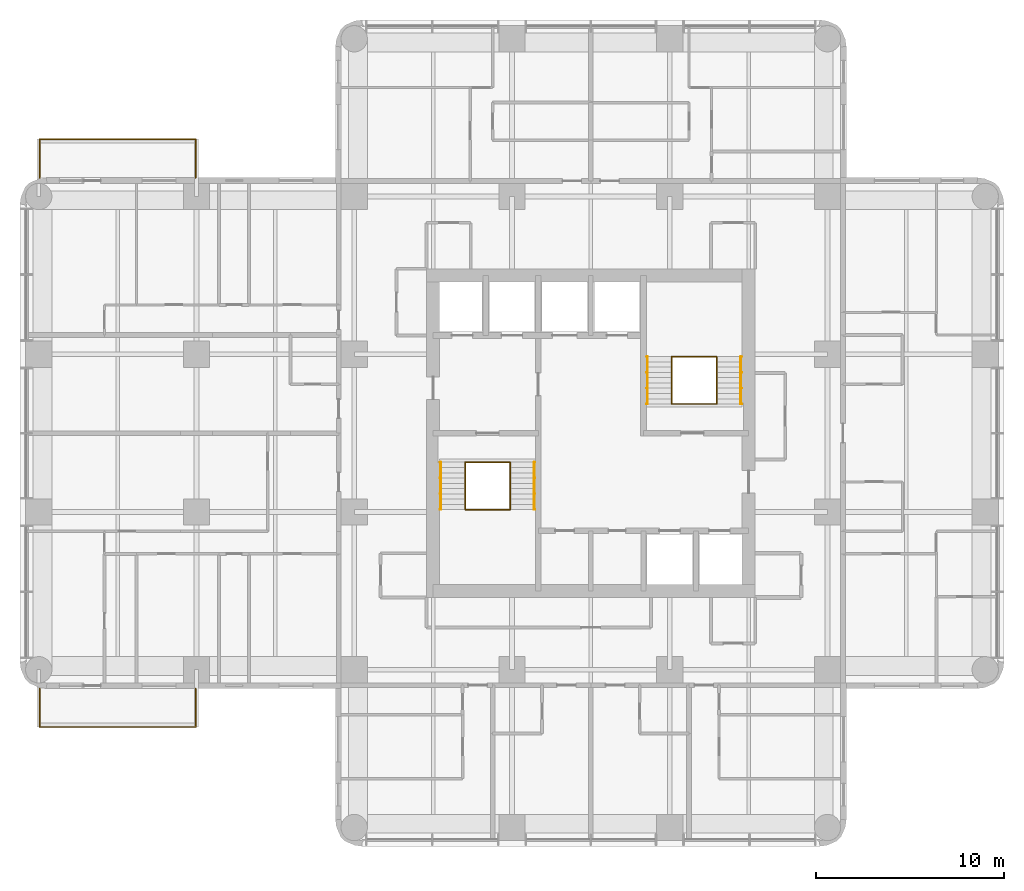
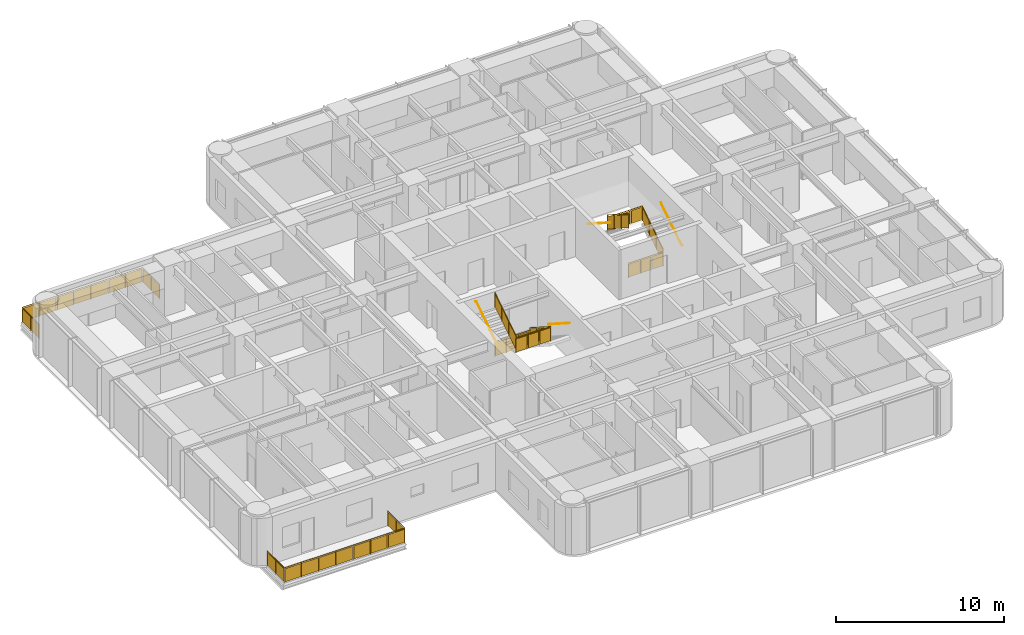
# One storey, part 11 of 11: 14 railings.
"""IFC4 building model written with IfcOpenShell, lengths in metres."""

from ifc_helpers import new_model, si_unit, direction, frame, origin, origin_2d, place, context, subcontext, project, spatial, polyline, circle, outline, extrude, material, constituent, constituent_set, type_object, element, save


model = new_model("IFC4")

# Units and contexts
model_context = context("Model", 3, precision=1e-05, world=origin(), true_north=direction((0.0, 1.0)))
body_context = subcontext(model_context, "Body", "Model", "MODEL_VIEW")
ifc_project = project(units=[si_unit("LENGTHUNIT", "METRE"), si_unit("AREAUNIT", "SQUARE_METRE"), si_unit("VOLUMEUNIT", "CUBIC_METRE"), si_unit("PLANEANGLEUNIT", "RADIAN"), si_unit("MASSUNIT", "GRAM", prefix="KILO")], contexts=[model_context])

# Site, building, storey
site_placement = place(None, origin())
site = spatial("IfcSite", under=ifc_project, at=site_placement, CompositionType="ELEMENT")
building_placement = place(site_placement, origin())
building = spatial("IfcBuilding", under=site, at=building_placement, Name="Torre Alcanfor", CompositionType="ELEMENT")
storey_placement = place(building_placement, frame((0.0, 0.0, 237.300048828125)))
storey = spatial("IfcBuildingStorey", under=building, at=storey_placement, Name="L62", CompositionType="ELEMENT", Elevation=237.300048828125)

# Railings
ifc_material_1 = material(Name="Laminated safety glass", Category="glass")
ifc_constituent_1 = constituent(ifc_material_1, Name="Infill")
ifc_material_2 = material(Name="Stainless steel ASTM A554 Grade MT 316L tube", Category="steel")
ifc_constituent_2 = constituent(ifc_material_2, Name="Posts and rail")
ifc_constituent_set = constituent_set(constituents=[ifc_constituent_1, ifc_constituent_2], Name="Balcony guard glass 1100")
railing_type_1 = type_object("IfcRailingType", Name="Balcony guard glass 1100", PredefinedType="BALUSTRADE", material=ifc_constituent_set)
railing_1_placement = place(storey_placement, frame((8.35009765625, 15.800048828125, 0.0)))
element("IfcRailing", 1, at=railing_1_placement, inside=storey, type_object=railing_type_1, Name="Balcony guard L62-W1", PredefinedType="BALUSTRADE", context=body_context, shape_type="SweptSolid", body=[
    extrude(circle(Radius=0.02392578125, at=origin_2d()), frame((0.0, 0.0, 1.076171875), z_axis=(0.0, -1.0, 0.0), x_axis=(1.0, 0.0, 0.0)), (0.0, 0.0, 1.0), 2.050048828125),
    extrude(circle(Radius=0.02392578125, at=origin_2d()), frame((0.0, -2.050048828125, 1.076171875), z_axis=(-1.0, 0.0, 0.0), x_axis=(0.0, -1.0, 0.0)), (0.0, 0.0, 1.0), 8.300048828125),
    extrude(circle(Radius=0.02392578125, at=origin_2d()), frame((-8.300048828125, -2.050048828125, 1.076171875), z_axis=(0.0, 1.0, 0.0), x_axis=(-1.0, 0.0, 0.0)), (0.0, 0.0, 1.0), 2.050048828125),
    extrude(circle(Radius=0.02099609375, at=origin_2d()), origin(), (0.0, 0.0, 1.0), 1.052001953125),
    extrude(circle(Radius=0.02099609375, at=origin_2d()), frame((0.0, -1.02490234375, 0.0)), (0.0, 0.0, 1.0), 1.052001953125),
    extrude(circle(Radius=0.02099609375, at=origin_2d()), frame((0.0, -2.050048828125, 0.0)), (0.0, 0.0, 1.0), 1.052001953125),
    extrude(circle(Radius=0.02099609375, at=origin_2d()), frame((-1.185791015625, -2.050048828125, 0.0)), (0.0, 0.0, 1.0), 1.052001953125),
    extrude(circle(Radius=0.02099609375, at=origin_2d()), frame((-2.371337890625, -2.050048828125, 0.0)), (0.0, 0.0, 1.0), 1.052001953125),
    extrude(circle(Radius=0.02099609375, at=origin_2d()), frame((-3.55712890625, -2.050048828125, 0.0)), (0.0, 0.0, 1.0), 1.052001953125),
    extrude(circle(Radius=0.02099609375, at=origin_2d()), frame((-4.742919921875, -2.050048828125, 0.0)), (0.0, 0.0, 1.0), 1.052001953125),
    extrude(circle(Radius=0.02099609375, at=origin_2d()), frame((-5.9287109375, -2.050048828125, 0.0)), (0.0, 0.0, 1.0), 1.052001953125),
    extrude(circle(Radius=0.02099609375, at=origin_2d()), frame((-7.1142578125, -2.050048828125, 0.0)), (0.0, 0.0, 1.0), 1.052001953125),
    extrude(circle(Radius=0.02099609375, at=origin_2d()), frame((-8.300048828125, -2.050048828125, 0.0)), (0.0, 0.0, 1.0), 1.052001953125),
    extrude(circle(Radius=0.02099609375, at=origin_2d()), frame((-8.300048828125, -1.02490234375, 0.0)), (0.0, 0.0, 1.0), 1.052001953125),
    extrude(circle(Radius=0.02099609375, at=origin_2d()), frame((-8.300048828125, 0.0, 0.0)), (0.0, 0.0, 1.0), 1.052001953125),
    extrude(outline(polyline([(0.041015625, 0.050048828125), (0.984130859375, 0.050048828125), (0.984130859375, 1.001953125), (0.041015625, 1.001953125), (0.041015625, 0.050048828125)])), frame((0.005859375, 0.0, 0.0), z_axis=(-1.0, 0.0, 0.0), x_axis=(0.0, -1.0, 0.0)), (0.0, 0.0, 1.0), 0.011962890625),
    extrude(outline(polyline([(1.06591796875, 0.050048828125), (2.009033203125, 0.050048828125), (2.009033203125, 1.001953125), (1.06591796875, 1.001953125), (1.06591796875, 0.050048828125)])), frame((0.005859375, 0.0, 0.0), z_axis=(-1.0, 0.0, 0.0), x_axis=(0.0, -1.0, 0.0)), (0.0, 0.0, 1.0), 0.011962890625),
    extrude(outline(polyline([(0.041015625, 0.050048828125), (1.144775390625, 0.050048828125), (1.144775390625, 1.001953125), (0.041015625, 1.001953125), (0.041015625, 0.050048828125)])), frame((0.0, -2.05615234375, 0.0), z_axis=(0.0, 1.0, 0.0), x_axis=(-1.0, 0.0, 0.0)), (0.0, 0.0, 1.0), 0.011962890625),
    extrude(outline(polyline([(1.226806640625, 0.050048828125), (2.330322265625, 0.050048828125), (2.330322265625, 1.001953125), (1.226806640625, 1.001953125), (1.226806640625, 0.050048828125)])), frame((0.0, -2.05615234375, 0.0), z_axis=(0.0, 1.0, 0.0), x_axis=(-1.0, 0.0, 0.0)), (0.0, 0.0, 1.0), 0.011962890625),
    extrude(outline(polyline([(2.412353515625, 0.050048828125), (3.51611328125, 0.050048828125), (3.51611328125, 1.001953125), (2.412353515625, 1.001953125), (2.412353515625, 0.050048828125)])), frame((0.0, -2.05615234375, 0.0), z_axis=(0.0, 1.0, 0.0), x_axis=(-1.0, 0.0, 0.0)), (0.0, 0.0, 1.0), 0.011962890625),
    extrude(outline(polyline([(3.59814453125, 0.050048828125), (4.701904296875, 0.050048828125), (4.701904296875, 1.001953125), (3.59814453125, 1.001953125), (3.59814453125, 0.050048828125)])), frame((0.0, -2.05615234375, 0.0), z_axis=(0.0, 1.0, 0.0), x_axis=(-1.0, 0.0, 0.0)), (0.0, 0.0, 1.0), 0.011962890625),
    extrude(outline(polyline([(4.783935546875, 0.050048828125), (5.8876953125, 0.050048828125), (5.8876953125, 1.001953125), (4.783935546875, 1.001953125), (4.783935546875, 0.050048828125)])), frame((0.0, -2.05615234375, 0.0), z_axis=(0.0, 1.0, 0.0), x_axis=(-1.0, 0.0, 0.0)), (0.0, 0.0, 1.0), 0.011962890625),
    extrude(outline(polyline([(5.9697265625, 0.050048828125), (7.0732421875, 0.050048828125), (7.0732421875, 1.001953125), (5.9697265625, 1.001953125), (5.9697265625, 0.050048828125)])), frame((0.0, -2.05615234375, 0.0), z_axis=(0.0, 1.0, 0.0), x_axis=(-1.0, 0.0, 0.0)), (0.0, 0.0, 1.0), 0.011962890625),
    extrude(outline(polyline([(7.1552734375, 0.050048828125), (8.259033203125, 0.050048828125), (8.259033203125, 1.001953125), (7.1552734375, 1.001953125), (7.1552734375, 0.050048828125)])), frame((0.0, -2.05615234375, 0.0), z_axis=(0.0, 1.0, 0.0), x_axis=(-1.0, 0.0, 0.0)), (0.0, 0.0, 1.0), 0.011962890625),
    extrude(outline(polyline([(0.041015625, 0.050048828125), (0.984130859375, 0.050048828125), (0.984130859375, 1.001953125), (0.041015625, 1.001953125), (0.041015625, 0.050048828125)])), frame((-8.30615234375, -2.050048828125, 0.0), z_axis=(1.0, 0.0, 0.0), x_axis=(0.0, 1.0, 0.0)), (0.0, 0.0, 1.0), 0.011962890625),
    extrude(outline(polyline([(1.06591796875, 0.050048828125), (2.009033203125, 0.050048828125), (2.009033203125, 1.001953125), (1.06591796875, 1.001953125), (1.06591796875, 0.050048828125)])), frame((-8.30615234375, -2.050048828125, 0.0), z_axis=(1.0, 0.0, 0.0), x_axis=(0.0, 1.0, 0.0)), (0.0, 0.0, 1.0), 0.011962890625),
])
railing_2_placement = place(storey_placement, frame((8.35009765625, 43.0, 0.0)))
element("IfcRailing", 2, at=railing_2_placement, inside=storey, type_object=railing_type_1, Name="Balcony guard L62-W2", PredefinedType="BALUSTRADE", context=body_context, shape_type="SweptSolid", body=[
    extrude(circle(Radius=0.02392578125, at=origin_2d()), frame((0.0, 0.0, 1.076171875), z_axis=(0.0, 1.0, 0.0), x_axis=(-1.0, 0.0, 0.0)), (0.0, 0.0, 1.0), 2.050048828125),
    extrude(circle(Radius=0.02392578125, at=origin_2d()), frame((0.0, 2.050048828125, 1.076171875), z_axis=(-1.0, 0.0, 0.0), x_axis=(0.0, -1.0, 0.0)), (0.0, 0.0, 1.0), 8.300048828125),
    extrude(circle(Radius=0.02392578125, at=origin_2d()), frame((-8.300048828125, 2.050048828125, 1.076171875), z_axis=(0.0, -1.0, 0.0), x_axis=(1.0, 0.0, 0.0)), (0.0, 0.0, 1.0), 2.050048828125),
    extrude(circle(Radius=0.02099609375, at=origin_2d()), origin(), (0.0, 0.0, 1.0), 1.052001953125),
    extrude(circle(Radius=0.02099609375, at=origin_2d()), frame((0.0, 1.02490234375, 0.0)), (0.0, 0.0, 1.0), 1.052001953125),
    extrude(circle(Radius=0.02099609375, at=origin_2d()), frame((0.0, 2.050048828125, 0.0)), (0.0, 0.0, 1.0), 1.052001953125),
    extrude(circle(Radius=0.02099609375, at=origin_2d()), frame((-1.185791015625, 2.050048828125, 0.0)), (0.0, 0.0, 1.0), 1.052001953125),
    extrude(circle(Radius=0.02099609375, at=origin_2d()), frame((-2.371337890625, 2.050048828125, 0.0)), (0.0, 0.0, 1.0), 1.052001953125),
    extrude(circle(Radius=0.02099609375, at=origin_2d()), frame((-3.55712890625, 2.050048828125, 0.0)), (0.0, 0.0, 1.0), 1.052001953125),
    extrude(circle(Radius=0.02099609375, at=origin_2d()), frame((-4.742919921875, 2.050048828125, 0.0)), (0.0, 0.0, 1.0), 1.052001953125),
    extrude(circle(Radius=0.02099609375, at=origin_2d()), frame((-5.9287109375, 2.050048828125, 0.0)), (0.0, 0.0, 1.0), 1.052001953125),
    extrude(circle(Radius=0.02099609375, at=origin_2d()), frame((-7.1142578125, 2.050048828125, 0.0)), (0.0, 0.0, 1.0), 1.052001953125),
    extrude(circle(Radius=0.02099609375, at=origin_2d()), frame((-8.300048828125, 2.050048828125, 0.0)), (0.0, 0.0, 1.0), 1.052001953125),
    extrude(circle(Radius=0.02099609375, at=origin_2d()), frame((-8.300048828125, 1.02490234375, 0.0)), (0.0, 0.0, 1.0), 1.052001953125),
    extrude(circle(Radius=0.02099609375, at=origin_2d()), frame((-8.300048828125, 0.0, 0.0)), (0.0, 0.0, 1.0), 1.052001953125),
    extrude(outline(polyline([(0.041015625, 0.050048828125), (0.984130859375, 0.050048828125), (0.984130859375, 1.001953125), (0.041015625, 1.001953125), (0.041015625, 0.050048828125)])), frame((-0.005859375, 0.0, 0.0), z_axis=(1.0, 0.0, 0.0), x_axis=(0.0, 1.0, 0.0)), (0.0, 0.0, 1.0), 0.011962890625),
    extrude(outline(polyline([(1.06591796875, 0.050048828125), (2.009033203125, 0.050048828125), (2.009033203125, 1.001953125), (1.06591796875, 1.001953125), (1.06591796875, 0.050048828125)])), frame((-0.005859375, 0.0, 0.0), z_axis=(1.0, 0.0, 0.0), x_axis=(0.0, 1.0, 0.0)), (0.0, 0.0, 1.0), 0.011962890625),
    extrude(outline(polyline([(0.041015625, 0.050048828125), (1.144775390625, 0.050048828125), (1.144775390625, 1.001953125), (0.041015625, 1.001953125), (0.041015625, 0.050048828125)])), frame((0.0, 2.0439453125, 0.0), z_axis=(0.0, 1.0, 0.0), x_axis=(-1.0, 0.0, 0.0)), (0.0, 0.0, 1.0), 0.011962890625),
    extrude(outline(polyline([(1.226806640625, 0.050048828125), (2.330322265625, 0.050048828125), (2.330322265625, 1.001953125), (1.226806640625, 1.001953125), (1.226806640625, 0.050048828125)])), frame((0.0, 2.0439453125, 0.0), z_axis=(0.0, 1.0, 0.0), x_axis=(-1.0, 0.0, 0.0)), (0.0, 0.0, 1.0), 0.011962890625),
    extrude(outline(polyline([(2.412353515625, 0.050048828125), (3.51611328125, 0.050048828125), (3.51611328125, 1.001953125), (2.412353515625, 1.001953125), (2.412353515625, 0.050048828125)])), frame((0.0, 2.0439453125, 0.0), z_axis=(0.0, 1.0, 0.0), x_axis=(-1.0, 0.0, 0.0)), (0.0, 0.0, 1.0), 0.011962890625),
    extrude(outline(polyline([(3.59814453125, 0.050048828125), (4.701904296875, 0.050048828125), (4.701904296875, 1.001953125), (3.59814453125, 1.001953125), (3.59814453125, 0.050048828125)])), frame((0.0, 2.0439453125, 0.0), z_axis=(0.0, 1.0, 0.0), x_axis=(-1.0, 0.0, 0.0)), (0.0, 0.0, 1.0), 0.011962890625),
    extrude(outline(polyline([(4.783935546875, 0.050048828125), (5.8876953125, 0.050048828125), (5.8876953125, 1.001953125), (4.783935546875, 1.001953125), (4.783935546875, 0.050048828125)])), frame((0.0, 2.0439453125, 0.0), z_axis=(0.0, 1.0, 0.0), x_axis=(-1.0, 0.0, 0.0)), (0.0, 0.0, 1.0), 0.011962890625),
    extrude(outline(polyline([(5.9697265625, 0.050048828125), (7.0732421875, 0.050048828125), (7.0732421875, 1.001953125), (5.9697265625, 1.001953125), (5.9697265625, 0.050048828125)])), frame((0.0, 2.0439453125, 0.0), z_axis=(0.0, 1.0, 0.0), x_axis=(-1.0, 0.0, 0.0)), (0.0, 0.0, 1.0), 0.011962890625),
    extrude(outline(polyline([(7.1552734375, 0.050048828125), (8.259033203125, 0.050048828125), (8.259033203125, 1.001953125), (7.1552734375, 1.001953125), (7.1552734375, 0.050048828125)])), frame((0.0, 2.0439453125, 0.0), z_axis=(0.0, 1.0, 0.0), x_axis=(-1.0, 0.0, 0.0)), (0.0, 0.0, 1.0), 0.011962890625),
    extrude(outline(polyline([(0.041015625, 0.050048828125), (0.984130859375, 0.050048828125), (0.984130859375, 1.001953125), (0.041015625, 1.001953125), (0.041015625, 0.050048828125)])), frame((-8.2939453125, 2.050048828125, 0.0), z_axis=(-1.0, 0.0, 0.0), x_axis=(0.0, -1.0, 0.0)), (0.0, 0.0, 1.0), 0.011962890625),
    extrude(outline(polyline([(1.06591796875, 0.050048828125), (2.009033203125, 0.050048828125), (2.009033203125, 1.001953125), (1.06591796875, 1.001953125), (1.06591796875, 0.050048828125)])), frame((-8.2939453125, 2.050048828125, 0.0), z_axis=(-1.0, 0.0, 0.0), x_axis=(0.0, -1.0, 0.0)), (0.0, 0.0, 1.0), 0.011962890625),
])
ifc_material_3 = material(Name="Steel ASTM A500 Grade C hollow sections", Category="steel")
railing_type_2 = type_object("IfcRailingType", Name="Stair guard and handrail 1100", PredefinedType="GUARDRAIL", material=ifc_material_3)
railing_3_placement = place(storey_placement, frame((25.10009765625, 27.85009765625, 0.179931640625)))
element("IfcRailing", 3, at=railing_3_placement, inside=storey, type_object=railing_type_2, Name="Stair guard S1 L62 flight 1", PredefinedType="GUARDRAIL", context=body_context, shape_type="SweptSolid", body=[
    extrude(circle(Radius=0.02392578125, at=origin_2d()), frame((0.0, 0.0, 1.076171875), z_axis=(0.0, -0.841162588446, 0.540782303519), x_axis=(1.0, 0.0, 0.0)), (0.0, 0.0, 1.0), 2.995849609375),
    extrude(circle(Radius=0.02099609375, at=origin_2d()), origin(), (0.0, 0.0, 1.0), 1.052001953125),
    extrude(circle(Radius=0.02099609375, at=origin_2d()), frame((0.0, -0.840087890625, 0.5400390625)), (0.0, 0.0, 1.0), 1.052001953125),
    extrude(circle(Radius=0.02099609375, at=origin_2d()), frame((0.0, -1.679931640625, 1.080078125)), (0.0, 0.0, 1.0), 1.052001953125),
    extrude(circle(Radius=0.02099609375, at=origin_2d()), frame((0.0, -2.52001953125, 1.6201171875)), (0.0, 0.0, 1.0), 1.052001953125),
    extrude(outline(polyline([(0.041015625, 0.076416015625), (0.799072265625, 0.563720703125), (0.799072265625, 1.515625), (0.041015625, 1.0283203125), (0.041015625, 0.076416015625)])), frame((0.005859375, 0.0, 0.0), z_axis=(-1.0, 0.0, 0.0), x_axis=(0.0, -1.0, 0.0)), (0.0, 0.0, 1.0), 0.011962890625),
    extrude(outline(polyline([(0.881103515625, 0.616455078125), (1.638916015625, 1.103759765625), (1.638916015625, 2.0556640625), (0.881103515625, 1.568359375), (0.881103515625, 0.616455078125)])), frame((0.005859375, 0.0, 0.0), z_axis=(-1.0, 0.0, 0.0), x_axis=(0.0, -1.0, 0.0)), (0.0, 0.0, 1.0), 0.011962890625),
    extrude(outline(polyline([(1.720947265625, 1.156494140625), (2.47900390625, 1.643798828125), (2.47900390625, 2.595703125), (1.720947265625, 2.1083984375), (1.720947265625, 1.156494140625)])), frame((0.005859375, 0.0, 0.0), z_axis=(-1.0, 0.0, 0.0), x_axis=(0.0, -1.0, 0.0)), (0.0, 0.0, 1.0), 0.011962890625),
])
railing_4_placement = place(storey_placement, frame((22.699951171875, 25.330078125, 1.97998046875)))
element("IfcRailing", 4, at=railing_4_placement, inside=storey, type_object=railing_type_2, Name="Stair guard S1 L62 flight 2", PredefinedType="GUARDRAIL", context=body_context, shape_type="SweptSolid", body=[
    extrude(circle(Radius=0.02392578125, at=origin_2d()), frame((0.0, 0.0, 1.076171875), z_axis=(0.0, 0.841199657755, 0.540724639528), x_axis=(-1.0, 0.0, 0.0)), (0.0, 0.0, 1.0), 2.995849609375),
    extrude(circle(Radius=0.02099609375, at=origin_2d()), origin(), (0.0, 0.0, 1.0), 1.052001953125),
    extrude(circle(Radius=0.02099609375, at=origin_2d()), frame((0.0, 0.840087890625, 0.5400390625)), (0.0, 0.0, 1.0), 1.052001953125),
    extrude(circle(Radius=0.02099609375, at=origin_2d()), frame((0.0, 1.679931640625, 1.079833984375)), (0.0, 0.0, 1.0), 1.052001953125),
    extrude(circle(Radius=0.02099609375, at=origin_2d()), frame((0.0, 2.52001953125, 1.619873046875)), (0.0, 0.0, 1.0), 1.052001953125),
    extrude(outline(polyline([(0.041015625, 0.076416015625), (0.799072265625, 0.563720703125), (0.799072265625, 1.515625), (0.041015625, 1.0283203125), (0.041015625, 0.076416015625)])), frame((-0.005859375, 0.0, 0.0), z_axis=(1.0, 0.0, 0.0), x_axis=(0.0, 1.0, 0.0)), (0.0, 0.0, 1.0), 0.011962890625),
    extrude(outline(polyline([(0.881103515625, 0.6162109375), (1.638916015625, 1.103515625), (1.638916015625, 2.0556640625), (0.881103515625, 1.568359375), (0.881103515625, 0.6162109375)])), frame((-0.005859375, 0.0, 0.0), z_axis=(1.0, 0.0, 0.0), x_axis=(0.0, 1.0, 0.0)), (0.0, 0.0, 1.0), 0.011962890625),
    extrude(outline(polyline([(1.720947265625, 1.15625), (2.47900390625, 1.6435546875), (2.47900390625, 2.595458984375), (1.720947265625, 2.108154296875), (1.720947265625, 1.15625)])), frame((-0.005859375, 0.0, 0.0), z_axis=(1.0, 0.0, 0.0), x_axis=(0.0, 1.0, 0.0)), (0.0, 0.0, 1.0), 0.011962890625),
])
for number, where, name in (
    (5, (22.699951171875, 27.85009765625, 0.0), "Stair well guard S1 L62 floor landing"),
    (6, (22.699951171875, 25.330078125, 1.800048828125), "Stair well guard S1 L62 half landing"),
):
    element("IfcRailing", number, at=place(storey_placement, frame(where)), inside=storey, type_object=railing_type_2, Name=name, PredefinedType="GUARDRAIL", context=body_context, shape_type="SweptSolid", body=[
        extrude(circle(Radius=0.02392578125, at=origin_2d()), frame((0.0, 0.0, 1.076171875), z_axis=(1.0, 0.0, 0.0), x_axis=(0.0, 1.0, 0.0)), (0.0, 0.0, 1.0), 2.400146484375),
        extrude(circle(Radius=0.02099609375, at=origin_2d()), origin(), (0.0, 0.0, 1.0), 1.052001953125),
        extrude(circle(Radius=0.02099609375, at=origin_2d()), frame((0.800048828125, 0.0, 0.0)), (0.0, 0.0, 1.0), 1.052001953125),
        extrude(circle(Radius=0.02099609375, at=origin_2d()), frame((1.60009765625, 0.0, 0.0)), (0.0, 0.0, 1.0), 1.052001953125),
        extrude(circle(Radius=0.02099609375, at=origin_2d()), frame((2.400146484375, 0.0, 0.0)), (0.0, 0.0, 1.0), 1.052001953125),
        extrude(outline(polyline([(0.041015625, 0.050048828125), (0.759033203125, 0.050048828125), (0.759033203125, 1.001953125), (0.041015625, 1.001953125), (0.041015625, 0.050048828125)])), frame((0.0, 0.005859375, 0.0), z_axis=(0.0, -1.0, 0.0), x_axis=(1.0, 0.0, 0.0)), (0.0, 0.0, 1.0), 0.011962890625),
        extrude(outline(polyline([(0.841064453125, 0.050048828125), (1.55908203125, 0.050048828125), (1.55908203125, 1.001953125), (0.841064453125, 1.001953125), (0.841064453125, 0.050048828125)])), frame((0.0, 0.005859375, 0.0), z_axis=(0.0, -1.0, 0.0), x_axis=(1.0, 0.0, 0.0)), (0.0, 0.0, 1.0), 0.011962890625),
        extrude(outline(polyline([(1.64111328125, 0.050048828125), (2.359130859375, 0.050048828125), (2.359130859375, 1.001953125), (1.64111328125, 1.001953125), (1.64111328125, 0.050048828125)])), frame((0.0, 0.005859375, 0.0), z_axis=(0.0, -1.0, 0.0), x_axis=(1.0, 0.0, 0.0)), (0.0, 0.0, 1.0), 0.011962890625),
    ])
railing_5_placement = place(storey_placement, frame((36.10009765625, 30.949951171875, 0.179931640625)))
element("IfcRailing", 7, at=railing_5_placement, inside=storey, type_object=railing_type_2, Name="Stair guard S2 L62 flight 1", PredefinedType="GUARDRAIL", context=body_context, shape_type="SweptSolid", body=[
    extrude(circle(Radius=0.02392578125, at=origin_2d()), frame((0.0, 0.0, 1.076171875), z_axis=(0.0, 0.841162588446, 0.540782303519), x_axis=(-1.0, 0.0, 0.0)), (0.0, 0.0, 1.0), 2.995849609375),
    extrude(circle(Radius=0.02099609375, at=origin_2d()), origin(), (0.0, 0.0, 1.0), 1.052001953125),
    extrude(circle(Radius=0.02099609375, at=origin_2d()), frame((0.0, 0.840087890625, 0.5400390625)), (0.0, 0.0, 1.0), 1.052001953125),
    extrude(circle(Radius=0.02099609375, at=origin_2d()), frame((0.0, 1.679931640625, 1.080078125)), (0.0, 0.0, 1.0), 1.052001953125),
    extrude(circle(Radius=0.02099609375, at=origin_2d()), frame((0.0, 2.52001953125, 1.6201171875)), (0.0, 0.0, 1.0), 1.052001953125),
    extrude(outline(polyline([(0.041015625, 0.076416015625), (0.799072265625, 0.563720703125), (0.799072265625, 1.515625), (0.041015625, 1.0283203125), (0.041015625, 0.076416015625)])), frame((-0.005859375, 0.0, 0.0), z_axis=(1.0, 0.0, 0.0), x_axis=(0.0, 1.0, 0.0)), (0.0, 0.0, 1.0), 0.011962890625),
    extrude(outline(polyline([(0.881103515625, 0.616455078125), (1.638916015625, 1.103759765625), (1.638916015625, 2.0556640625), (0.881103515625, 1.568359375), (0.881103515625, 0.616455078125)])), frame((-0.005859375, 0.0, 0.0), z_axis=(1.0, 0.0, 0.0), x_axis=(0.0, 1.0, 0.0)), (0.0, 0.0, 1.0), 0.011962890625),
    extrude(outline(polyline([(1.720947265625, 1.156494140625), (2.47900390625, 1.643798828125), (2.47900390625, 2.595703125), (1.720947265625, 2.1083984375), (1.720947265625, 1.156494140625)])), frame((-0.005859375, 0.0, 0.0), z_axis=(1.0, 0.0, 0.0), x_axis=(0.0, 1.0, 0.0)), (0.0, 0.0, 1.0), 0.011962890625),
])
railing_6_placement = place(storey_placement, frame((33.699951171875, 33.469970703125, 1.97998046875)))
element("IfcRailing", 8, at=railing_6_placement, inside=storey, type_object=railing_type_2, Name="Stair guard S2 L62 flight 2", PredefinedType="GUARDRAIL", context=body_context, shape_type="SweptSolid", body=[
    extrude(circle(Radius=0.02392578125, at=origin_2d()), frame((0.0, 0.0, 1.076171875), z_axis=(0.0, -0.841199657755, 0.540724639528), x_axis=(1.0, 0.0, 0.0)), (0.0, 0.0, 1.0), 2.995849609375),
    extrude(circle(Radius=0.02099609375, at=origin_2d()), origin(), (0.0, 0.0, 1.0), 1.052001953125),
    extrude(circle(Radius=0.02099609375, at=origin_2d()), frame((0.0, -0.840087890625, 0.5400390625)), (0.0, 0.0, 1.0), 1.052001953125),
    extrude(circle(Radius=0.02099609375, at=origin_2d()), frame((0.0, -1.679931640625, 1.079833984375)), (0.0, 0.0, 1.0), 1.052001953125),
    extrude(circle(Radius=0.02099609375, at=origin_2d()), frame((0.0, -2.52001953125, 1.619873046875)), (0.0, 0.0, 1.0), 1.052001953125),
    extrude(outline(polyline([(0.041015625, 0.076416015625), (0.799072265625, 0.563720703125), (0.799072265625, 1.515625), (0.041015625, 1.0283203125), (0.041015625, 0.076416015625)])), frame((0.005859375, 0.0, 0.0), z_axis=(-1.0, 0.0, 0.0), x_axis=(0.0, -1.0, 0.0)), (0.0, 0.0, 1.0), 0.011962890625),
    extrude(outline(polyline([(0.881103515625, 0.6162109375), (1.638916015625, 1.103515625), (1.638916015625, 2.0556640625), (0.881103515625, 1.568359375), (0.881103515625, 0.6162109375)])), frame((0.005859375, 0.0, 0.0), z_axis=(-1.0, 0.0, 0.0), x_axis=(0.0, -1.0, 0.0)), (0.0, 0.0, 1.0), 0.011962890625),
    extrude(outline(polyline([(1.720947265625, 1.15625), (2.47900390625, 1.6435546875), (2.47900390625, 2.595458984375), (1.720947265625, 2.108154296875), (1.720947265625, 1.15625)])), frame((0.005859375, 0.0, 0.0), z_axis=(-1.0, 0.0, 0.0), x_axis=(0.0, -1.0, 0.0)), (0.0, 0.0, 1.0), 0.011962890625),
])
for number, where, name in (
    (9, (33.699951171875, 30.949951171875, 0.0), "Stair well guard S2 L62 floor landing"),
    (10, (33.699951171875, 33.469970703125, 1.800048828125), "Stair well guard S2 L62 half landing"),
):
    element("IfcRailing", number, at=place(storey_placement, frame(where)), inside=storey, type_object=railing_type_2, Name=name, PredefinedType="GUARDRAIL", context=body_context, shape_type="SweptSolid", body=[
        extrude(circle(Radius=0.02392578125, at=origin_2d()), frame((0.0, 0.0, 1.076171875), z_axis=(1.0, 0.0, 0.0), x_axis=(0.0, 1.0, 0.0)), (0.0, 0.0, 1.0), 2.400146484375),
        extrude(circle(Radius=0.02099609375, at=origin_2d()), origin(), (0.0, 0.0, 1.0), 1.052001953125),
        extrude(circle(Radius=0.02099609375, at=origin_2d()), frame((0.800048828125, 0.0, 0.0)), (0.0, 0.0, 1.0), 1.052001953125),
        extrude(circle(Radius=0.02099609375, at=origin_2d()), frame((1.60009765625, 0.0, 0.0)), (0.0, 0.0, 1.0), 1.052001953125),
        extrude(circle(Radius=0.02099609375, at=origin_2d()), frame((2.400146484375, 0.0, 0.0)), (0.0, 0.0, 1.0), 1.052001953125),
        extrude(outline(polyline([(0.041015625, 0.050048828125), (0.759033203125, 0.050048828125), (0.759033203125, 1.001953125), (0.041015625, 1.001953125), (0.041015625, 0.050048828125)])), frame((0.0, 0.005859375, 0.0), z_axis=(0.0, -1.0, 0.0), x_axis=(1.0, 0.0, 0.0)), (0.0, 0.0, 1.0), 0.011962890625),
        extrude(outline(polyline([(0.841064453125, 0.050048828125), (1.55908203125, 0.050048828125), (1.55908203125, 1.001953125), (0.841064453125, 1.001953125), (0.841064453125, 0.050048828125)])), frame((0.0, 0.005859375, 0.0), z_axis=(0.0, -1.0, 0.0), x_axis=(1.0, 0.0, 0.0)), (0.0, 0.0, 1.0), 0.011962890625),
        extrude(outline(polyline([(1.64111328125, 0.050048828125), (2.359130859375, 0.050048828125), (2.359130859375, 1.001953125), (1.64111328125, 1.001953125), (1.64111328125, 0.050048828125)])), frame((0.0, 0.005859375, 0.0), z_axis=(0.0, -1.0, 0.0), x_axis=(1.0, 0.0, 0.0)), (0.0, 0.0, 1.0), 0.011962890625),
    ])
ifc_material_4 = material(Name="Steel ASTM A500 Grade C hollow sections", Category="steel")
railing_type_3 = type_object("IfcRailingType", Name="Stair wall handrail 900", PredefinedType="HANDRAIL", material=ifc_material_4)
railing_7_placement = place(storey_placement, frame((26.385009765625, 27.85009765625, 0.179931640625)))
element("IfcRailing", 11, at=railing_7_placement, inside=storey, type_object=railing_type_3, Name="Stair handrail S1 L62 flight 1", PredefinedType="HANDRAIL", context=body_context, shape_type="SweptSolid", body=[
    extrude(circle(Radius=0.02392578125, at=origin_2d()), frame((0.0, 0.0, 0.8759765625), z_axis=(0.0, -0.841162588446, 0.540782303519), x_axis=(1.0, 0.0, 0.0)), (0.0, 0.0, 1.0), 2.995849609375),
    extrude(circle(Radius=0.008056640625, at=origin_2d()), frame((0.0, 0.0, 0.8759765625), z_axis=(1.0, 0.0, 0.0), x_axis=(0.0, 0.0, 1.0)), (0.0, 0.0, 1.0), 0.06494140625),
    extrude(circle(Radius=0.008056640625, at=origin_2d()), frame((0.0, -0.840087890625, 1.416015625), z_axis=(1.0, 0.0, 0.0), x_axis=(0.0, 0.0, 1.0)), (0.0, 0.0, 1.0), 0.06494140625),
    extrude(circle(Radius=0.008056640625, at=origin_2d()), frame((0.0, -1.679931640625, 1.9560546875), z_axis=(1.0, 0.0, 0.0), x_axis=(0.0, 0.0, 1.0)), (0.0, 0.0, 1.0), 0.06494140625),
    extrude(circle(Radius=0.008056640625, at=origin_2d()), frame((0.0, -2.52001953125, 2.49609375), z_axis=(1.0, 0.0, 0.0), x_axis=(0.0, 0.0, 1.0)), (0.0, 0.0, 1.0), 0.06494140625),
])
railing_8_placement = place(storey_placement, frame((21.4150390625, 25.330078125, 1.97998046875)))
element("IfcRailing", 12, at=railing_8_placement, inside=storey, type_object=railing_type_3, Name="Stair handrail S1 L62 flight 2", PredefinedType="HANDRAIL", context=body_context, shape_type="SweptSolid", body=[
    extrude(circle(Radius=0.02392578125, at=origin_2d()), frame((0.0, 0.0, 0.8759765625), z_axis=(0.0, 0.841199657755, 0.540724639528), x_axis=(-1.0, 0.0, 0.0)), (0.0, 0.0, 1.0), 2.995849609375),
    extrude(circle(Radius=0.008056640625, at=origin_2d()), frame((0.0, 0.0, 0.8759765625), z_axis=(-1.0, 0.0, 0.0), x_axis=(0.0, 0.0, 1.0)), (0.0, 0.0, 1.0), 0.06494140625),
    extrude(circle(Radius=0.008056640625, at=origin_2d()), frame((0.0, 0.840087890625, 1.415771484375), z_axis=(-1.0, 0.0, 0.0), x_axis=(0.0, 0.0, 1.0)), (0.0, 0.0, 1.0), 0.06494140625),
    extrude(circle(Radius=0.008056640625, at=origin_2d()), frame((0.0, 1.679931640625, 1.955810546875), z_axis=(-1.0, 0.0, 0.0), x_axis=(0.0, 0.0, 1.0)), (0.0, 0.0, 1.0), 0.06494140625),
    extrude(circle(Radius=0.008056640625, at=origin_2d()), frame((0.0, 2.52001953125, 2.49560546875), z_axis=(-1.0, 0.0, 0.0), x_axis=(0.0, 0.0, 1.0)), (0.0, 0.0, 1.0), 0.06494140625),
])
railing_9_placement = place(storey_placement, frame((37.385009765625, 30.949951171875, 0.179931640625)))
element("IfcRailing", 13, at=railing_9_placement, inside=storey, type_object=railing_type_3, Name="Stair handrail S2 L62 flight 1", PredefinedType="HANDRAIL", context=body_context, shape_type="SweptSolid", body=[
    extrude(circle(Radius=0.02392578125, at=origin_2d()), frame((0.0, 0.0, 0.8759765625), z_axis=(0.0, 0.841162588446, 0.540782303519), x_axis=(-1.0, 0.0, 0.0)), (0.0, 0.0, 1.0), 2.995849609375),
    extrude(circle(Radius=0.008056640625, at=origin_2d()), frame((0.0, 0.0, 0.8759765625), z_axis=(1.0, 0.0, 0.0), x_axis=(0.0, 0.0, 1.0)), (0.0, 0.0, 1.0), 0.06494140625),
    extrude(circle(Radius=0.008056640625, at=origin_2d()), frame((0.0, 0.840087890625, 1.416015625), z_axis=(1.0, 0.0, 0.0), x_axis=(0.0, 0.0, 1.0)), (0.0, 0.0, 1.0), 0.06494140625),
    extrude(circle(Radius=0.008056640625, at=origin_2d()), frame((0.0, 1.679931640625, 1.9560546875), z_axis=(1.0, 0.0, 0.0), x_axis=(0.0, 0.0, 1.0)), (0.0, 0.0, 1.0), 0.06494140625),
    extrude(circle(Radius=0.008056640625, at=origin_2d()), frame((0.0, 2.52001953125, 2.49609375), z_axis=(1.0, 0.0, 0.0), x_axis=(0.0, 0.0, 1.0)), (0.0, 0.0, 1.0), 0.06494140625),
])
railing_10_placement = place(storey_placement, frame((32.4150390625, 33.469970703125, 1.97998046875)))
element("IfcRailing", 14, at=railing_10_placement, inside=storey, type_object=railing_type_3, Name="Stair handrail S2 L62 flight 2", PredefinedType="HANDRAIL", context=body_context, shape_type="SweptSolid", body=[
    extrude(circle(Radius=0.02392578125, at=origin_2d()), frame((0.0, 0.0, 0.8759765625), z_axis=(0.0, -0.841199657755, 0.540724639528), x_axis=(1.0, 0.0, 0.0)), (0.0, 0.0, 1.0), 2.995849609375),
    extrude(circle(Radius=0.008056640625, at=origin_2d()), frame((0.0, 0.0, 0.8759765625), z_axis=(-1.0, 0.0, 0.0), x_axis=(0.0, 0.0, 1.0)), (0.0, 0.0, 1.0), 0.06494140625),
    extrude(circle(Radius=0.008056640625, at=origin_2d()), frame((0.0, -0.840087890625, 1.415771484375), z_axis=(-1.0, 0.0, 0.0), x_axis=(0.0, 0.0, 1.0)), (0.0, 0.0, 1.0), 0.06494140625),
    extrude(circle(Radius=0.008056640625, at=origin_2d()), frame((0.0, -1.679931640625, 1.955810546875), z_axis=(-1.0, 0.0, 0.0), x_axis=(0.0, 0.0, 1.0)), (0.0, 0.0, 1.0), 0.06494140625),
    extrude(circle(Radius=0.008056640625, at=origin_2d()), frame((0.0, -2.52001953125, 2.49560546875), z_axis=(-1.0, 0.0, 0.0), x_axis=(0.0, 0.0, 1.0)), (0.0, 0.0, 1.0), 0.06494140625),
])

save(model, "model.ifc")
